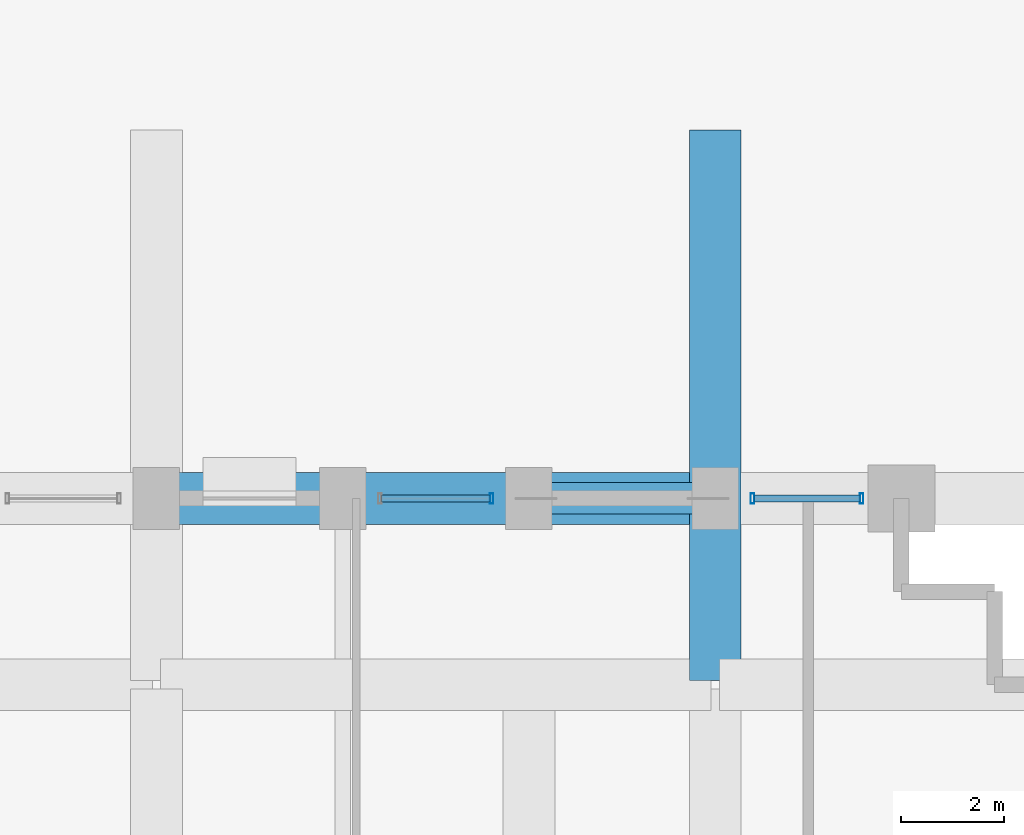
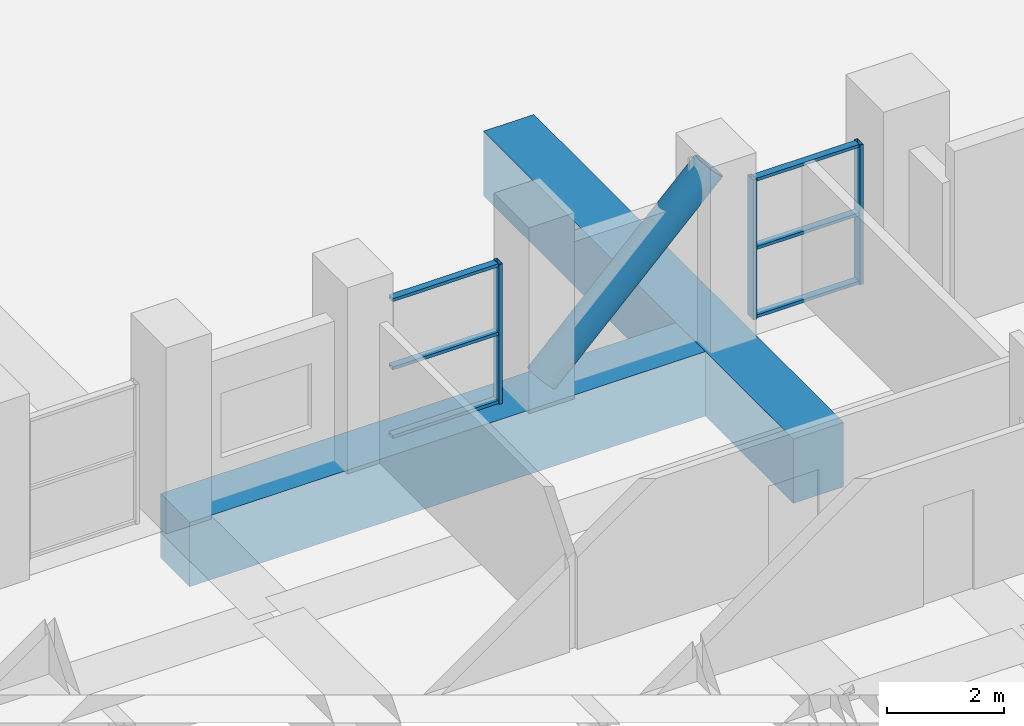
# One storey, part 19 of 39: 10 members, 2 beams, 2 elements without a shape of their own.
"""IFC4 building model written with IfcOpenShell, lengths in metres."""

from ifc_helpers import new_model, si_unit, direction, frame, origin, origin_2d, place, context, subcontext, project, spatial, rectangle, hollow_rectangle, hollow_circle, extrude, material, layer, layer_set, material_profile, profile_set, type_object, element, aggregate, save


model = new_model("IFC4")

# Units and contexts
model_context = context("Model", 3, precision=1e-05, world=origin(), true_north=direction((0.0, 1.0)))
body_context = subcontext(model_context, "Body", "Model", "MODEL_VIEW")
ifc_project = project(units=[si_unit("LENGTHUNIT", "METRE"), si_unit("AREAUNIT", "SQUARE_METRE"), si_unit("VOLUMEUNIT", "CUBIC_METRE"), si_unit("PLANEANGLEUNIT", "RADIAN"), si_unit("MASSUNIT", "GRAM", prefix="KILO")], contexts=[model_context])

# Site, building, storey
site_placement = place(None, origin())
site = spatial("IfcSite", under=ifc_project, at=site_placement, CompositionType="ELEMENT")
building_placement = place(site_placement, origin())
building = spatial("IfcBuilding", under=site, at=building_placement, Name="Solnavia Interchange Tower", CompositionType="ELEMENT")
storey_placement = place(building_placement, frame((0.0, 0.0, 24.0)))
storey = spatial("IfcBuildingStorey", under=building, at=storey_placement, Name="L05", CompositionType="ELEMENT", Elevation=24.0)

# Beams
ifc_material_1 = material(Name="Concrete C60/75", Category="concrete")
ifc_material_profile_1 = material_profile(ifc_material_1, rectangle(XDim=1.0, YDim=1.35009765625, at=origin_2d()), Name="RC 1000x1350")
ifc_profile_set_1 = profile_set([ifc_material_profile_1], Name="Concrete C60/75")
beam_type = type_object("IfcBeamType", Name="Beam-Transfer-RC1000x1350", PredefinedType="BEAM", material=ifc_profile_set_1)
beam_1_placement = place(storey_placement, frame((54.0, 21.679931640625, -0.675048828125), z_axis=(0.0, 1.0, 0.0), x_axis=(-1.0, 0.0, 0.0)))
element("IfcBeam", 1, at=beam_1_placement, inside=storey, type_object=beam_type, Name="TRB-L05-51 East N-S primary transfer girder", PredefinedType="BEAM", context=body_context, shape_type="SweptSolid", body=[
    extrude(rectangle(XDim=1.0, YDim=1.35009765625, at=origin_2d()), origin(), (0.0, 0.0, 1.0), 10.64013671875),
])
beam_2_placement = place(storey_placement, frame((43.280029296875, 25.199951171875, -0.675048828125), z_axis=(1.0, 0.0, 0.0), x_axis=(0.0, 1.0, 0.0)))
element("IfcBeam", 2, at=beam_2_placement, inside=storey, type_object=beam_type, Name="TRB-L05-67 East-north perimeter transfer girder", PredefinedType="BEAM", context=body_context, shape_type="SweptSolid", body=[
    extrude(rectangle(XDim=1.0, YDim=1.35009765625, at=origin_2d()), origin(), (0.0, 0.0, 1.0), 10.639892578125),
])

# Member
ifc_material_2 = material(Name="Steel S460", Category="steel")
ifc_material_profile_2 = material_profile(ifc_material_2, hollow_circle(Radius=0.304931640625, WallThickness=0.02490234375, at=origin_2d()), Name="CHS 610x25")
ifc_profile_set_2 = profile_set([ifc_material_profile_2], Name="Steel S460")
member_type_1 = type_object("IfcMemberType", Name="Brace-Perim-CHS610", PredefinedType="BRACE", material=ifc_profile_set_2)
member_1_placement = place(storey_placement, frame((50.5400390625, 25.199951171875, 0.179931640625), z_axis=(0.710311792477, 0.0, 0.703887176661), x_axis=(0.0, 1.0, 0.0)))
element("IfcMember", 3, at=member_1_placement, inside=storey, type_object=member_type_1, Name="BRC-L05-04 Perimeter tube diagonal brace", PredefinedType="BRACE", context=body_context, shape_type="SweptSolid", body=[
    extrude(hollow_circle(Radius=0.304931640625, WallThickness=0.02490234375, at=origin_2d()), origin(), (0.0, 0.0, 1.0), 4.674072265625),
])

# Curtain wall, members
ifc_material_3 = material(Name="Aluminium Alloy 6063-T6", Category="aluminium")
ifc_layer = layer(ifc_material_3, 0.219970703125)
ifc_layer_set = layer_set([ifc_layer], Name="Aluminium Alloy 6063-T6")
curtain_wall_type = type_object("IfcCurtainWallType", Name="CurtainWall-Tower-CTW3", PredefinedType="NOTDEFINED", material=ifc_layer_set)
curtain_wall_1_placement = place(storey_placement, origin())
curtain_wall_1 = element("IfcCurtainWall", 4, at=curtain_wall_1_placement, inside=storey, type_object=curtain_wall_type, Name="CTW-L05-S24 CTW-3 curtain wall", PredefinedType="NOTDEFINED")
ifc_material_profile_3 = material_profile(ifc_material_3, hollow_rectangle(XDim=0.070068359375, YDim=0.199951171875, WallThickness=0.0048828125, at=origin_2d()), Name="ALU 200x70x5")
ifc_profile_set_3 = profile_set([ifc_material_profile_3], Name="Aluminium Alloy 6063-T6")
member_type_2 = type_object("IfcMemberType", Name="CW-Mullion-CWM-3", PredefinedType="MULLION", material=ifc_profile_set_3)
member_2_placement = place(storey_placement, frame((56.830078125, 25.199951171875, 0.0), z_axis=(0.0, 0.0, 1.0), x_axis=(-1.0, 0.0, 0.0)))
member_2 = element("IfcMember", 5, at=member_2_placement, type_object=member_type_2, Name="CTW-3 mullion 1", PredefinedType="MULLION", context=body_context, shape_type="SweptSolid", body=[
    extrude(hollow_rectangle(XDim=0.070068359375, YDim=0.199951171875, WallThickness=0.0048828125, at=origin_2d()), origin(), (0.0, 0.0, 1.0), 2.929931640625),
])
member_3_placement = place(storey_placement, frame((54.719970703125, 25.199951171875, 0.0), z_axis=(0.0, 0.0, 1.0), x_axis=(-1.0, 0.0, 0.0)))
member_3 = element("IfcMember", 6, at=member_3_placement, type_object=member_type_2, Name="CTW-3 mullion 2", PredefinedType="MULLION", context=body_context, shape_type="SweptSolid", body=[
    extrude(hollow_rectangle(XDim=0.070068359375, YDim=0.199951171875, WallThickness=0.0048828125, at=origin_2d()), origin(), (0.0, 0.0, 1.0), 2.929931640625),
])

# Curtain wall, member
curtain_wall_2_placement = place(storey_placement, origin())
curtain_wall_2 = element("IfcCurtainWall", 7, at=curtain_wall_2_placement, inside=storey, type_object=curtain_wall_type, Name="CTW-L05-S26 CTW-3 curtain wall", PredefinedType="NOTDEFINED")
member_4_placement = place(storey_placement, frame((49.679931640625, 25.199951171875, 0.0), z_axis=(0.0, 0.0, 1.0), x_axis=(-1.0, 0.0, 0.0)))
member_4 = element("IfcMember", 8, at=member_4_placement, type_object=member_type_2, Name="CTW-3 mullion 1", PredefinedType="MULLION", context=body_context, shape_type="SweptSolid", body=[
    extrude(hollow_rectangle(XDim=0.070068359375, YDim=0.199951171875, WallThickness=0.0048828125, at=origin_2d()), origin(), (0.0, 0.0, 1.0), 2.929931640625),
])

# Member
ifc_material_profile_4 = material_profile(ifc_material_3, hollow_rectangle(XDim=0.06494140625, YDim=0.139892578125, WallThickness=0.00390625, at=origin_2d()), Name="ALU 140x65x4")
ifc_profile_set_4 = profile_set([ifc_material_profile_4], Name="Aluminium Alloy 6063-T6")
member_type_3 = type_object("IfcMemberType", Name="CW-Transom-CWT-3", PredefinedType="USERDEFINED", material=ifc_profile_set_4)
member_5_placement = place(storey_placement, frame((56.794921875, 25.199951171875, 0.032470703125), z_axis=(-1.0, 0.0, 0.0), x_axis=(0.0, 0.0, 1.0)))
member_5 = element("IfcMember", 9, at=member_5_placement, type_object=member_type_3, Name="CTW-3 transom 1.1", ObjectType="TRANSOM", PredefinedType="USERDEFINED", context=body_context, shape_type="SweptSolid", body=[
    extrude(hollow_rectangle(XDim=0.06494140625, YDim=0.139892578125, WallThickness=0.00390625, at=origin_2d()), origin(), (0.0, 0.0, 1.0), 2.0400390625),
])

member_6_placement = place(storey_placement, frame((56.794921875, 25.199951171875, 1.465087890625), z_axis=(-1.0, 0.0, 0.0), x_axis=(0.0, 0.0, 1.0)))
member_6 = element("IfcMember", 10, at=member_6_placement, type_object=member_type_3, Name="CTW-3 transom 1.2", ObjectType="TRANSOM", PredefinedType="USERDEFINED", context=body_context, shape_type="SweptSolid", body=[
    extrude(hollow_rectangle(XDim=0.06494140625, YDim=0.139892578125, WallThickness=0.00390625, at=origin_2d()), origin(), (0.0, 0.0, 1.0), 2.0400390625),
])

member_7_placement = place(storey_placement, frame((56.794921875, 25.199951171875, 2.8974609375), z_axis=(-1.0, 0.0, 0.0), x_axis=(0.0, 0.0, 1.0)))
member_7 = element("IfcMember", 11, at=member_7_placement, type_object=member_type_3, Name="CTW-3 transom 1.3", ObjectType="TRANSOM", PredefinedType="USERDEFINED", context=body_context, shape_type="SweptSolid", body=[
    extrude(hollow_rectangle(XDim=0.06494140625, YDim=0.139892578125, WallThickness=0.00390625, at=origin_2d()), origin(), (0.0, 0.0, 1.0), 2.0400390625),
])

aggregate(curtain_wall_1, [member_2, member_3, member_5, member_6, member_7])

member_8_placement = place(storey_placement, frame((49.64501953125, 25.199951171875, 0.032470703125), z_axis=(-1.0, 0.0, 0.0), x_axis=(0.0, 0.0, 1.0)))
member_8 = element("IfcMember", 12, at=member_8_placement, type_object=member_type_3, Name="CTW-3 transom 1.1", ObjectType="TRANSOM", PredefinedType="USERDEFINED", context=body_context, shape_type="SweptSolid", body=[
    extrude(hollow_rectangle(XDim=0.06494140625, YDim=0.139892578125, WallThickness=0.00390625, at=origin_2d()), origin(), (0.0, 0.0, 1.0), 2.090087890625),
])

member_9_placement = place(storey_placement, frame((49.64501953125, 25.199951171875, 1.465087890625), z_axis=(-1.0, 0.0, 0.0), x_axis=(0.0, 0.0, 1.0)))
member_9 = element("IfcMember", 13, at=member_9_placement, type_object=member_type_3, Name="CTW-3 transom 1.2", ObjectType="TRANSOM", PredefinedType="USERDEFINED", context=body_context, shape_type="SweptSolid", body=[
    extrude(hollow_rectangle(XDim=0.06494140625, YDim=0.139892578125, WallThickness=0.00390625, at=origin_2d()), origin(), (0.0, 0.0, 1.0), 2.090087890625),
])

member_10_placement = place(storey_placement, frame((49.64501953125, 25.199951171875, 2.8974609375), z_axis=(-1.0, 0.0, 0.0), x_axis=(0.0, 0.0, 1.0)))
member_10 = element("IfcMember", 14, at=member_10_placement, type_object=member_type_3, Name="CTW-3 transom 1.3", ObjectType="TRANSOM", PredefinedType="USERDEFINED", context=body_context, shape_type="SweptSolid", body=[
    extrude(hollow_rectangle(XDim=0.06494140625, YDim=0.139892578125, WallThickness=0.00390625, at=origin_2d()), origin(), (0.0, 0.0, 1.0), 2.090087890625),
])

aggregate(curtain_wall_2, [member_4, member_8, member_9, member_10])

save(model, "model.ifc")
